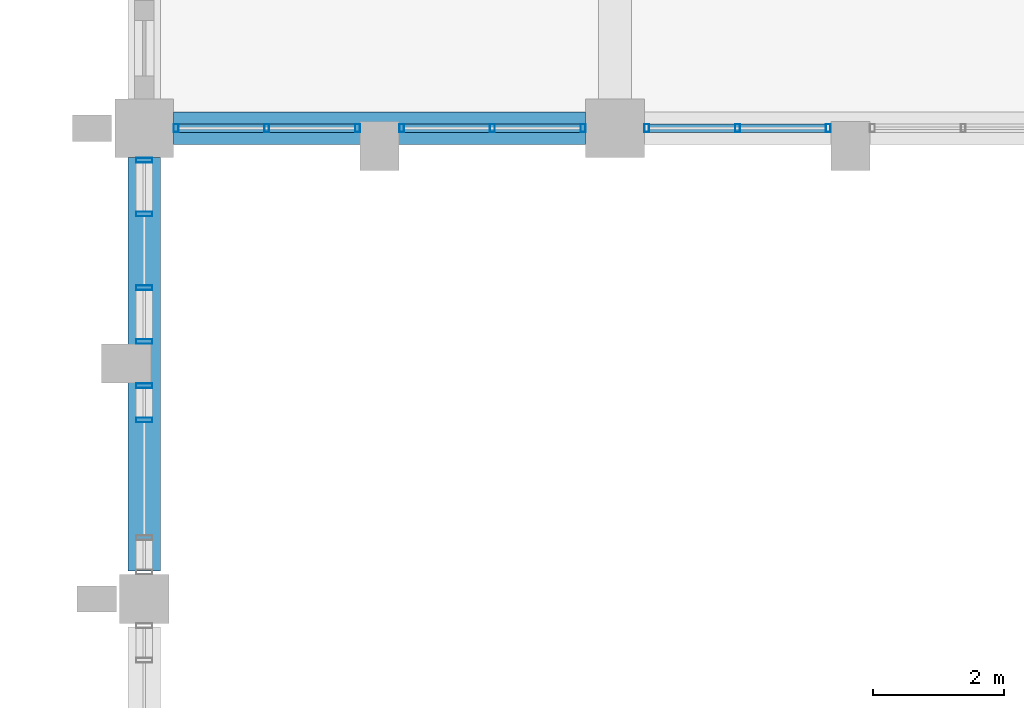
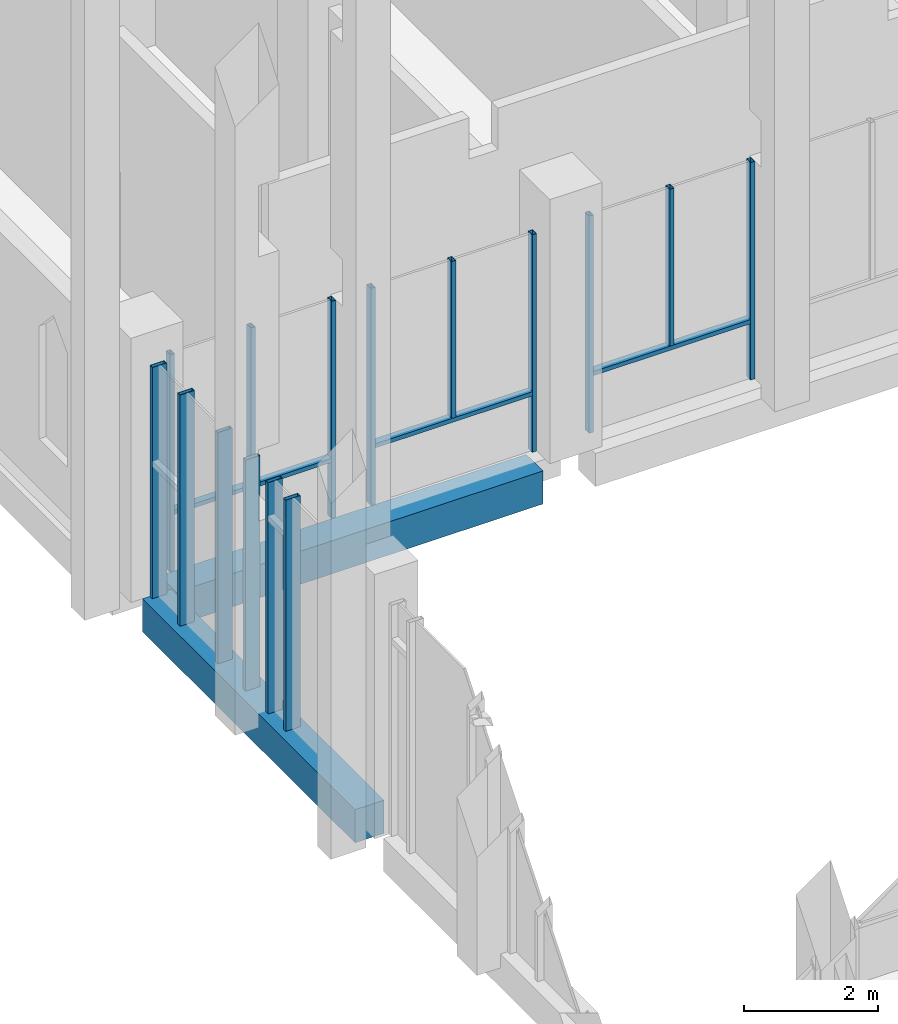
# One storey, part 7 of 40: 18 members, 2 beams, 5 elements without a shape of their own.
"""IFC4 building model written with IfcOpenShell, lengths in metres."""

from ifc_helpers import new_model, si_unit, direction, frame, origin, origin_2d, place, context, subcontext, project, spatial, rectangle, hollow_rectangle, extrude, material, material_profile, profile_set, type_object, element, aggregate, save


model = new_model("IFC4")

# Units and contexts
model_context = context("Model", 3, precision=1e-05, world=origin(), true_north=direction((0.0, 1.0)))
body_context = subcontext(model_context, "Body", "Model", "MODEL_VIEW")
ifc_project = project(units=[si_unit("LENGTHUNIT", "METRE"), si_unit("AREAUNIT", "SQUARE_METRE"), si_unit("VOLUMEUNIT", "CUBIC_METRE"), si_unit("PLANEANGLEUNIT", "RADIAN"), si_unit("MASSUNIT", "GRAM", prefix="KILO")], contexts=[model_context])

# Site, building, storey
site_placement = place(None, origin())
site = spatial("IfcSite", under=ifc_project, at=site_placement, CompositionType="ELEMENT")
building_placement = place(site_placement, origin())
building = spatial("IfcBuilding", under=site, at=building_placement, Name="Silangan Lancet Faculty of Sciences", CompositionType="ELEMENT")
storey_placement = place(building_placement, frame((0.0, 0.0, 21.60009765625)))
storey = spatial("IfcBuildingStorey", under=building, at=storey_placement, Name="L04", CompositionType="ELEMENT", Elevation=21.60009765625)

# Beams
ifc_material_1 = material(Name="Concrete C40/50", Category="concrete")
ifc_material_profile_1 = material_profile(ifc_material_1, rectangle(XDim=0.5, YDim=0.60009765625, at=origin_2d()), Name="RC 500x600")
ifc_profile_set_1 = profile_set([ifc_material_profile_1], Name="Concrete C40/50")
beam_type = type_object("IfcBeamType", Name="BEAM RC 500x600", PredefinedType="BEAM", material=ifc_profile_set_1)
beam_1_placement = place(storey_placement, frame((0.449951171875, 36.0, -0.550048828125), z_axis=(1.0, 0.0, 0.0), x_axis=(0.0, 1.0, 0.0)))
element("IfcBeam", 1, at=beam_1_placement, inside=storey, type_object=beam_type, Name="BM-L04-1F-2F", PredefinedType="BEAM", context=body_context, shape_type="SweptSolid", body=[
    extrude(rectangle(XDim=0.5, YDim=0.60009765625, at=origin_2d()), origin(), (0.0, 0.0, 1.0), 6.300048828125),
])
beam_2_placement = place(storey_placement, frame((0.0, 29.22509765625, -0.300048828125), z_axis=(0.0, 1.0, 0.0), x_axis=(-1.0, 0.0, 0.0)))
element("IfcBeam", 2, at=beam_2_placement, inside=storey, type_object=beam_type, Name="BM-L04-1E-1F", PredefinedType="BEAM", context=body_context, shape_type="SweptSolid", body=[
    extrude(rectangle(XDim=0.5, YDim=0.60009765625, at=origin_2d()), origin(), (0.0, 0.0, 1.0), 6.324951171875),
])

# Curtain wall, members
ifc_material_2 = material(Name="Aluminium framed curtain wall with insulated glass", Category="aluminium")
curtain_wall_type_1 = type_object("IfcCurtainWallType", Name="CW2 Atrium fire-resisting screen", PredefinedType="NOTDEFINED", material=ifc_material_2)
curtain_wall_1_placement = place(storey_placement, origin())
curtain_wall_1 = element("IfcCurtainWall", 3, at=curtain_wall_1_placement, inside=storey, type_object=curtain_wall_type_1, Name="CW2 Atrium north L04 bay 1", PredefinedType="NOTDEFINED")
ifc_material_3 = material(Name="Steel S355J2H", Category="steel")
ifc_material_profile_2 = material_profile(ifc_material_3, hollow_rectangle(XDim=0.074951171875, YDim=0.125, WallThickness=0.0048828125, at=origin_2d()), Name="ST BOX 75x125x5")
ifc_profile_set_2 = profile_set([ifc_material_profile_2], Name="Steel S355J2H")
member_type_1 = type_object("IfcMemberType", Name="CM2 Mullion 75x125", PredefinedType="MULLION", material=ifc_profile_set_2)
member_1_placement = place(storey_placement, frame((0.487548828125, 36.0, 0.0), z_axis=(0.0, 0.0, 1.0), x_axis=(1.0, 0.0, 0.0)))
member_1 = element("IfcMember", 4, at=member_1_placement, type_object=member_type_1, Name="CW2 Atrium north L04 bay 1 mullion 1", PredefinedType="MULLION", context=body_context, shape_type="SweptSolid", body=[
    extrude(hollow_rectangle(XDim=0.074951171875, YDim=0.125, WallThickness=0.0048828125, at=origin_2d()), origin(), (0.0, 0.0, 1.0), 3.949951171875),
])
member_2_placement = place(storey_placement, frame((3.2626953125, 36.0, 0.0), z_axis=(0.0, 0.0, 1.0), x_axis=(1.0, 0.0, 0.0)))
member_2 = element("IfcMember", 5, at=member_2_placement, type_object=member_type_1, Name="CW2 Atrium north L04 bay 1 mullion 2", PredefinedType="MULLION", context=body_context, shape_type="SweptSolid", body=[
    extrude(hollow_rectangle(XDim=0.074951171875, YDim=0.125, WallThickness=0.0048828125, at=origin_2d()), origin(), (0.0, 0.0, 1.0), 3.949951171875),
])
member_3_placement = place(storey_placement, frame((1.875, 36.0, 1.099853515625), z_axis=(0.0, 0.0, 1.0), x_axis=(1.0, 0.0, 0.0)))
member_3 = element("IfcMember", 6, at=member_3_placement, type_object=member_type_1, Name="CW2 Atrium north L04 bay 1 mullion 3", PredefinedType="MULLION", context=body_context, shape_type="SweptSolid", body=[
    extrude(hollow_rectangle(XDim=0.074951171875, YDim=0.125, WallThickness=0.0048828125, at=origin_2d()), origin(), (0.0, 0.0, 1.0), 2.85009765625),
])

curtain_wall_2_placement = place(storey_placement, origin())
curtain_wall_2 = element("IfcCurtainWall", 7, at=curtain_wall_2_placement, inside=storey, type_object=curtain_wall_type_1, Name="CW2 Atrium north L04 bay 2", PredefinedType="NOTDEFINED")
member_4_placement = place(storey_placement, frame((3.9375, 36.0, 0.0), z_axis=(0.0, 0.0, 1.0), x_axis=(1.0, 0.0, 0.0)))
member_4 = element("IfcMember", 8, at=member_4_placement, type_object=member_type_1, Name="CW2 Atrium north L04 bay 2 mullion 1", PredefinedType="MULLION", context=body_context, shape_type="SweptSolid", body=[
    extrude(hollow_rectangle(XDim=0.074951171875, YDim=0.125, WallThickness=0.0048828125, at=origin_2d()), origin(), (0.0, 0.0, 1.0), 3.949951171875),
])
member_5_placement = place(storey_placement, frame((6.71240234375, 36.0, 0.0), z_axis=(0.0, 0.0, 1.0), x_axis=(1.0, 0.0, 0.0)))
member_5 = element("IfcMember", 9, at=member_5_placement, type_object=member_type_1, Name="CW2 Atrium north L04 bay 2 mullion 2", PredefinedType="MULLION", context=body_context, shape_type="SweptSolid", body=[
    extrude(hollow_rectangle(XDim=0.074951171875, YDim=0.125, WallThickness=0.0048828125, at=origin_2d()), origin(), (0.0, 0.0, 1.0), 3.949951171875),
])
member_6_placement = place(storey_placement, frame((5.324951171875, 36.0, 1.099853515625), z_axis=(0.0, 0.0, 1.0), x_axis=(1.0, 0.0, 0.0)))
member_6 = element("IfcMember", 10, at=member_6_placement, type_object=member_type_1, Name="CW2 Atrium north L04 bay 2 mullion 3", PredefinedType="MULLION", context=body_context, shape_type="SweptSolid", body=[
    extrude(hollow_rectangle(XDim=0.074951171875, YDim=0.125, WallThickness=0.0048828125, at=origin_2d()), origin(), (0.0, 0.0, 1.0), 2.85009765625),
])

curtain_wall_3_placement = place(storey_placement, origin())
curtain_wall_3 = element("IfcCurtainWall", 11, at=curtain_wall_3_placement, inside=storey, type_object=curtain_wall_type_1, Name="CW2 Atrium north L04 bay 3", PredefinedType="NOTDEFINED")
member_7_placement = place(storey_placement, frame((7.6875, 36.0, 0.0), z_axis=(0.0, 0.0, 1.0), x_axis=(1.0, 0.0, 0.0)))
member_7 = element("IfcMember", 12, at=member_7_placement, type_object=member_type_1, Name="CW2 Atrium north L04 bay 3 mullion 1", PredefinedType="MULLION", context=body_context, shape_type="SweptSolid", body=[
    extrude(hollow_rectangle(XDim=0.074951171875, YDim=0.125, WallThickness=0.0048828125, at=origin_2d()), origin(), (0.0, 0.0, 1.0), 3.949951171875),
])
member_8_placement = place(storey_placement, frame((10.46240234375, 36.0, 0.0), z_axis=(0.0, 0.0, 1.0), x_axis=(1.0, 0.0, 0.0)))
member_8 = element("IfcMember", 13, at=member_8_placement, type_object=member_type_1, Name="CW2 Atrium north L04 bay 3 mullion 2", PredefinedType="MULLION", context=body_context, shape_type="SweptSolid", body=[
    extrude(hollow_rectangle(XDim=0.074951171875, YDim=0.125, WallThickness=0.0048828125, at=origin_2d()), origin(), (0.0, 0.0, 1.0), 3.949951171875),
])
member_9_placement = place(storey_placement, frame((9.074951171875, 36.0, 1.099853515625), z_axis=(0.0, 0.0, 1.0), x_axis=(1.0, 0.0, 0.0)))
member_9 = element("IfcMember", 14, at=member_9_placement, type_object=member_type_1, Name="CW2 Atrium north L04 bay 3 mullion 3", PredefinedType="MULLION", context=body_context, shape_type="SweptSolid", body=[
    extrude(hollow_rectangle(XDim=0.074951171875, YDim=0.125, WallThickness=0.0048828125, at=origin_2d()), origin(), (0.0, 0.0, 1.0), 2.85009765625),
])

ifc_material_4 = material(Name="Aluminium framed curtain wall with insulated glass", Category="aluminium")
curtain_wall_type_2 = type_object("IfcCurtainWallType", Name="CW6 West window middle bays", PredefinedType="NOTDEFINED", material=ifc_material_4)
curtain_wall_4_placement = place(storey_placement, origin())
curtain_wall_4 = element("IfcCurtainWall", 15, at=curtain_wall_4_placement, inside=storey, type_object=curtain_wall_type_2, Name="CW6 West window L04 bay 3", PredefinedType="NOTDEFINED")
ifc_material_5 = material(Name="Aluminium 6063-T6 extrusion", Category="aluminium")
ifc_material_profile_3 = material_profile(ifc_material_5, hollow_rectangle(XDim=0.074951171875, YDim=0.25, WallThickness=0.006103515625, at=origin_2d()), Name="AL BOX 75x250x6")
ifc_profile_set_3 = profile_set([ifc_material_profile_3], Name="Aluminium 6063-T6 extrusion")
member_type_2 = type_object("IfcMemberType", Name="CM3 Mullion 75x250", PredefinedType="MULLION", material=ifc_profile_set_3)
member_10_placement = place(storey_placement, frame((0.0, 32.0625, 0.0), z_axis=(0.0, 0.0, 1.0), x_axis=(0.0, 1.0, 0.0)))
member_10 = element("IfcMember", 16, at=member_10_placement, type_object=member_type_2, Name="CW6 West window L04 bay 3 mullion 2", PredefinedType="MULLION", context=body_context, shape_type="SweptSolid", body=[
    extrude(hollow_rectangle(XDim=0.074951171875, YDim=0.25, WallThickness=0.006103515625, at=origin_2d()), origin(), (0.0, 0.0, 1.0), 4.199951171875),
])
member_11_placement = place(storey_placement, frame((0.0, 31.537353515625, 0.0), z_axis=(0.0, 0.0, 1.0), x_axis=(0.0, 1.0, 0.0)))
member_11 = element("IfcMember", 17, at=member_11_placement, type_object=member_type_2, Name="CW6 West window L04 bay 3 mullion 4", PredefinedType="MULLION", context=body_context, shape_type="SweptSolid", body=[
    extrude(hollow_rectangle(XDim=0.074951171875, YDim=0.25, WallThickness=0.006103515625, at=origin_2d()), origin(), (0.0, 0.0, 1.0), 4.199951171875),
])
aggregate(curtain_wall_4, [member_10, member_11])

ifc_material_6 = material(Name="Aluminium framed curtain wall with insulated glass", Category="aluminium")
curtain_wall_type_3 = type_object("IfcCurtainWallType", Name="CW3 West stepped lancet window", PredefinedType="NOTDEFINED", material=ifc_material_6)
curtain_wall_5_placement = place(storey_placement, origin())
curtain_wall_5 = element("IfcCurtainWall", 18, at=curtain_wall_5_placement, inside=storey, type_object=curtain_wall_type_3, Name="CW3 West window L04 bay 4", PredefinedType="NOTDEFINED")
member_12_placement = place(storey_placement, frame((0.0, 32.7373046875, 0.0), z_axis=(0.0, 0.0, 1.0), x_axis=(0.0, 1.0, 0.0)))
member_12 = element("IfcMember", 19, at=member_12_placement, type_object=member_type_2, Name="CW3 West window L04 bay 4 mullion 1", PredefinedType="MULLION", context=body_context, shape_type="SweptSolid", body=[
    extrude(hollow_rectangle(XDim=0.074951171875, YDim=0.25, WallThickness=0.006103515625, at=origin_2d()), origin(), (0.0, 0.0, 1.0), 4.199951171875),
])
member_13_placement = place(storey_placement, frame((0.0, 35.512451171875, 0.0), z_axis=(0.0, 0.0, 1.0), x_axis=(0.0, 1.0, 0.0)))
member_13 = element("IfcMember", 20, at=member_13_placement, type_object=member_type_2, Name="CW3 West window L04 bay 4 mullion 2", PredefinedType="MULLION", context=body_context, shape_type="SweptSolid", body=[
    extrude(hollow_rectangle(XDim=0.074951171875, YDim=0.25, WallThickness=0.006103515625, at=origin_2d()), origin(), (0.0, 0.0, 1.0), 4.199951171875),
])
member_14_placement = place(storey_placement, frame((0.0, 33.5625, 0.0), z_axis=(0.0, 0.0, 1.0), x_axis=(0.0, 1.0, 0.0)))
member_14 = element("IfcMember", 21, at=member_14_placement, type_object=member_type_2, Name="CW3 West window L04 bay 4 mullion 3", PredefinedType="MULLION", context=body_context, shape_type="SweptSolid", body=[
    extrude(hollow_rectangle(XDim=0.074951171875, YDim=0.25, WallThickness=0.006103515625, at=origin_2d()), origin(), (0.0, 0.0, 1.0), 4.199951171875),
])
member_15_placement = place(storey_placement, frame((0.0, 34.6875, 0.0), z_axis=(0.0, 0.0, 1.0), x_axis=(0.0, 1.0, 0.0)))
member_15 = element("IfcMember", 22, at=member_15_placement, type_object=member_type_2, Name="CW3 West window L04 bay 4 mullion 4", PredefinedType="MULLION", context=body_context, shape_type="SweptSolid", body=[
    extrude(hollow_rectangle(XDim=0.074951171875, YDim=0.25, WallThickness=0.006103515625, at=origin_2d()), origin(), (0.0, 0.0, 1.0), 4.199951171875),
])
aggregate(curtain_wall_5, [member_12, member_13, member_14, member_15])

# Member
ifc_material_7 = material(Name="Steel S355J2H", Category="steel")
ifc_material_profile_4 = material_profile(ifc_material_7, hollow_rectangle(XDim=0.125, YDim=0.074951171875, WallThickness=0.0048828125, at=origin_2d()), Name="ST BOX 125x75x5")
ifc_profile_set_4 = profile_set([ifc_material_profile_4], Name="Steel S355J2H")
member_type_3 = type_object("IfcMemberType", Name="CT2 Transom 125x75", PredefinedType="USERDEFINED", material=ifc_profile_set_4)
member_16_placement = place(storey_placement, frame((0.52490234375, 36.0, 1.0625), z_axis=(1.0, 0.0, 0.0), x_axis=(0.0, 1.0, 0.0)))
member_16 = element("IfcMember", 23, at=member_16_placement, type_object=member_type_3, Name="CW2 Atrium north L04 bay 1 transom 1", ObjectType="TRANSOM", PredefinedType="USERDEFINED", context=body_context, shape_type="SweptSolid", body=[
    extrude(hollow_rectangle(XDim=0.125, YDim=0.074951171875, WallThickness=0.0048828125, at=origin_2d()), origin(), (0.0, 0.0, 1.0), 2.7001953125),
])

aggregate(curtain_wall_1, [member_1, member_2, member_3, member_16])

member_17_placement = place(storey_placement, frame((3.97509765625, 36.0, 1.0625), z_axis=(1.0, 0.0, 0.0), x_axis=(0.0, 1.0, 0.0)))
member_17 = element("IfcMember", 24, at=member_17_placement, type_object=member_type_3, Name="CW2 Atrium north L04 bay 2 transom 1", ObjectType="TRANSOM", PredefinedType="USERDEFINED", context=body_context, shape_type="SweptSolid", body=[
    extrude(hollow_rectangle(XDim=0.125, YDim=0.074951171875, WallThickness=0.0048828125, at=origin_2d()), origin(), (0.0, 0.0, 1.0), 2.699951171875),
])

aggregate(curtain_wall_2, [member_4, member_5, member_6, member_17])

member_18_placement = place(storey_placement, frame((7.72509765625, 36.0, 1.0625), z_axis=(1.0, 0.0, 0.0), x_axis=(0.0, 1.0, 0.0)))
member_18 = element("IfcMember", 25, at=member_18_placement, type_object=member_type_3, Name="CW2 Atrium north L04 bay 3 transom 1", ObjectType="TRANSOM", PredefinedType="USERDEFINED", context=body_context, shape_type="SweptSolid", body=[
    extrude(hollow_rectangle(XDim=0.125, YDim=0.074951171875, WallThickness=0.0048828125, at=origin_2d()), origin(), (0.0, 0.0, 1.0), 2.699951171875),
])

aggregate(curtain_wall_3, [member_7, member_8, member_9, member_18])

save(model, "model.ifc")
